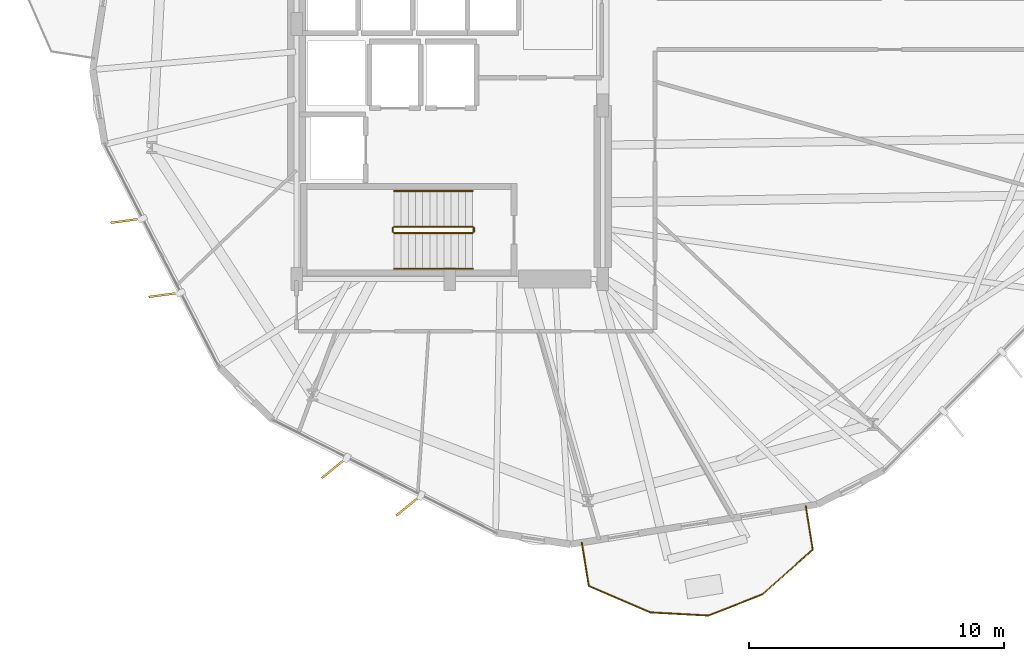
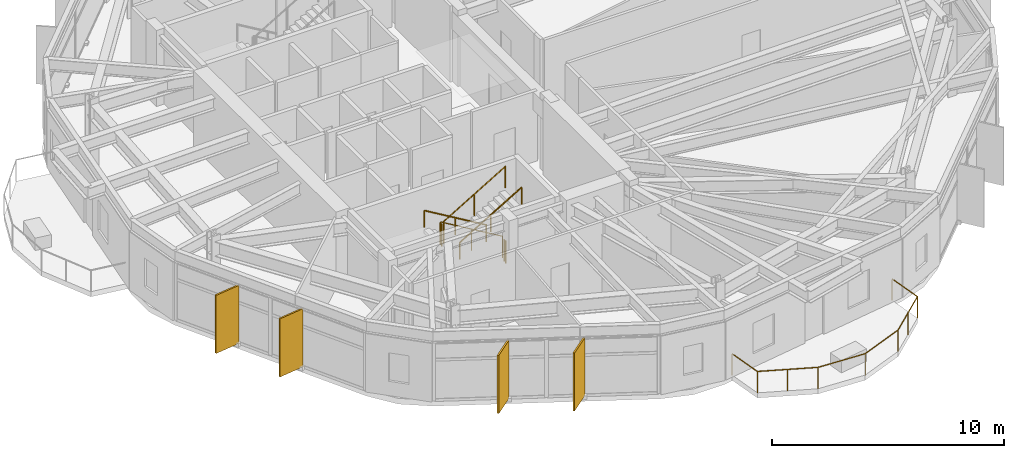
# One storey, part 21 of 23: 7 railings, 4 shading devices.
"""IFC4 building model written with IfcOpenShell, lengths in metres."""

import ifcopenshell
import ifcopenshell.guid

model = None  # the IFC model being written
_history = None  # IfcOwnerHistory: only IFC2X3 demands one
_inside = {}  # id of a spatial element -> (the spatial element, [elements in it])
_under = {}  # id of a project, library or spatial element -> (it, [spatial elements below it])
_declared = {}  # id of a project -> (the project, [libraries it declares])
_typed = {}  # id of a type object -> (the type object, [elements of that type])
_made_of = {}  # id of a material, layer set ... -> (it, [elements and type objects made of it])


def new_model(schema):
    """Start an empty IFC model of exactly this schema.

    Asked for "IFC4X3", IfcOpenShell would pick the latest addendum, in which some entities
    have other attributes; the version numbers below select the first issue.
    IFC2X3 requires an IfcOwnerHistory on every rooted entity: one is made here for all.
    """
    global model, _history
    if schema == "IFC4X3":
        model = ifcopenshell.file(schema_version=(4, 3, 0, 0))
    else:
        model = ifcopenshell.file(schema=schema)
    _inside.clear()
    _under.clear()
    _declared.clear()
    _typed.clear()
    _made_of.clear()
    _history = None
    if model.schema == "IFC2X3":
        org = make("IfcOrganization", Name="unknown")
        user = make(
            "IfcPersonAndOrganization",
            ThePerson=make("IfcPerson", FamilyName="unknown"),
            TheOrganization=org,
        )
        app = make(
            "IfcApplication",
            ApplicationDeveloper=org,
            Version="unknown",
            ApplicationFullName="unknown",
            ApplicationIdentifier="unknown",
        )
        _history = make(
            "IfcOwnerHistory",
            OwningUser=user,
            OwningApplication=app,
            ChangeAction="ADDED",
            CreationDate=0,
        )
    return model


def make(cls, **values):
    """One entity of the class cls with the attributes given. An attribute that is None is left unset."""
    return model.create_entity(
        cls, **{name: value for name, value in values.items() if value is not None}
    )


def rooted(cls, **values):
    """An entity with a GlobalId (a new one), such as an element, a storey or a relation."""
    return make(cls, GlobalId=ifcopenshell.guid.new(), OwnerHistory=_history, **values)


def si_unit(unit_type, name, prefix=None):
    """IfcSIUnit, for example si_unit("LENGTHUNIT", "METRE", prefix="MILLI")."""
    return make("IfcSIUnit", UnitType=unit_type, Prefix=prefix, Name=name)


def assignment(units):
    """IfcUnitAssignment: the units of a project."""
    return None if units is None else make("IfcUnitAssignment", Units=units)


def point(xyz):
    """IfcCartesianPoint."""
    return None if xyz is None else make("IfcCartesianPoint", Coordinates=xyz)


def direction(xyz):
    """IfcDirection."""
    return None if xyz is None else make("IfcDirection", DirectionRatios=xyz)


def frame(location, z_axis=None, x_axis=None):
    """IfcAxis2Placement3D, a coordinate frame: its origin and axes. An axis left out is left unset."""
    return make(
        "IfcAxis2Placement3D",
        Location=point(location),
        Axis=direction(z_axis),
        RefDirection=direction(x_axis),
    )


def frame_2d(location, x_axis=None):
    """IfcAxis2Placement2D, a coordinate frame in the plane: its origin and x axis."""
    return make(
        "IfcAxis2Placement2D", Location=point(location), RefDirection=direction(x_axis)
    )


def origin():
    """The frame at (0, 0, 0) with its axes left unset."""
    return frame((0.0, 0.0, 0.0))


def origin_2d():
    """The frame at (0, 0) in the plane with its x axis left unset."""
    return frame_2d((0.0, 0.0))


def place(relative_to, where):
    """IfcLocalPlacement: puts the frame where relative to a parent placement (None: the world)."""
    return make(
        "IfcLocalPlacement", PlacementRelTo=relative_to, RelativePlacement=where
    )


def context(
    kind, dimensions, precision=None, world=None, true_north=None, identifier=None
):
    """IfcGeometricRepresentationContext, for example the 3D "Model" context."""
    return make(
        "IfcGeometricRepresentationContext",
        ContextIdentifier=identifier,
        ContextType=kind,
        CoordinateSpaceDimension=dimensions,
        Precision=precision,
        WorldCoordinateSystem=world,
        TrueNorth=true_north,
    )


def subcontext(parent, identifier, kind, view, scale=None):
    """IfcGeometricRepresentationSubContext, for example "Body" below "Model"."""
    return make(
        "IfcGeometricRepresentationSubContext",
        ContextIdentifier=identifier,
        ContextType=kind,
        ParentContext=parent,
        TargetScale=scale,
        TargetView=view,
    )


def project(units=None, contexts=None):
    """IfcProject with its units and contexts."""
    return rooted(
        "IfcProject",
        Name="project",
        RepresentationContexts=contexts,
        UnitsInContext=assignment(units),
    )


def spatial(cls, under=None, at=None, **own):
    """A site, building, storey or space (cls), placed at a placement, below another one or the project."""
    s = rooted(cls, ObjectPlacement=at, **own)
    if under is not None:
        _under.setdefault(under.id(), (under, []))[1].append(s)
    return s


def profile(cls, at=None, kind="AREA", **sizes):
    """A parametric profile (cls). Its sizes go by their IFC names, for example OverallWidth=200.0."""
    return make(cls, ProfileType=kind, Position=at, **sizes)


def rectangle(**sizes):
    """IfcRectangleProfileDef."""
    return profile("IfcRectangleProfileDef", **sizes)


def circle(**sizes):
    """IfcCircleProfileDef."""
    return profile("IfcCircleProfileDef", **sizes)


def extrude(swept, where, along, depth):
    """IfcExtrudedAreaSolid: the profile swept, set in the frame where, extruded along a direction by depth."""
    return make(
        "IfcExtrudedAreaSolid",
        SweptArea=swept,
        Position=where,
        ExtrudedDirection=direction(along),
        Depth=depth,
    )


def shape(context_of_items, identifier, shape_type, items):
    """IfcShapeRepresentation: the items that make up one representation, for example the "Body"."""
    return make(
        "IfcShapeRepresentation",
        ContextOfItems=context_of_items,
        RepresentationIdentifier=identifier,
        RepresentationType=shape_type,
        Items=items,
    )


def material(Name=None, Category=None):
    """IfcMaterial."""
    return make("IfcMaterial", Name=Name, Category=Category)


def layer(
    of_material, thickness, ventilated=None, Name=None, Category=None, Priority=None
):
    """IfcMaterialLayer: one layer of a wall or slab, of a material (None: an air gap)."""
    return make(
        "IfcMaterialLayer",
        Material=of_material,
        LayerThickness=thickness,
        IsVentilated=ventilated,
        Name=Name,
        Category=Category,
        Priority=Priority,
    )


def layer_set(layers, Name=None):
    """IfcMaterialLayerSet."""
    return make("IfcMaterialLayerSet", MaterialLayers=layers, LayerSetName=Name)


def made_of(thing, what):
    """Note that an element or type object is made of a material, layer set ...; save() writes the relation."""
    if what is not None:
        _made_of.setdefault(what.id(), (what, []))[1].append(thing)
    return thing


def type_object(cls, material=None, **own):
    """A type object (cls), such as IfcWallType, which elements share."""
    return made_of(rooted(cls, **own), material)


def element(
    cls,
    number,
    at=None,
    inside=None,
    cuts=None,
    type_object=None,
    material=None,
    context=None,
    identifier="Body",
    shape_type=None,
    held_by="IfcProductDefinitionShape",
    body=None,
    shapes=None,
    **own,
):
    """One element of the class cls, such as IfcWall. Its Tag is "e" and its number.

    at: its placement. inside: the storey or other place that contains it. cuts: it is an
    opening in that element (IfcRelVoidsElement). A single representation is given by context,
    identifier, shape_type and body (its items); several are given by shapes. held_by: the class
    of the entity that holds the representations. save() writes the other relations.
    """
    e = rooted(cls, Tag="e%d" % number, ObjectPlacement=at, **own)
    if body is not None:
        shapes = [shape(context, identifier, shape_type, body)]
    if shapes is not None:
        e.Representation = make(held_by, Representations=shapes)
    if inside is not None:
        _inside.setdefault(inside.id(), (inside, []))[1].append(e)
    if cuts is not None:
        rooted(
            "IfcRelVoidsElement", RelatingBuildingElement=cuts, RelatedOpeningElement=e
        )
    if type_object is not None:
        _typed.setdefault(type_object.id(), (type_object, []))[1].append(e)
    return made_of(e, material)


def aggregate(whole, parts):
    """IfcRelAggregates: a whole, such as a stair, and the parts it consists of."""
    return rooted("IfcRelAggregates", RelatingObject=whole, RelatedObjects=parts)


def save(model, path):
    """Write the relations noted so far, then the file.

    IfcRelAggregates (storeys below a building ...), IfcRelContainedInSpatialStructure (elements
    in a storey), IfcRelDefinesByType, IfcRelAssociatesMaterial and IfcRelDeclares: one each for
    every whole, place, type object, material and project.
    """
    for whole, parts in _under.values():
        aggregate(whole, parts)
    for where, things in _inside.values():
        rooted(
            "IfcRelContainedInSpatialStructure",
            RelatedElements=things,
            RelatingStructure=where,
        )
    for kind, things in _typed.values():
        rooted("IfcRelDefinesByType", RelatedObjects=things, RelatingType=kind)
    for what, things in _made_of.values():
        rooted("IfcRelAssociatesMaterial", RelatedObjects=things, RelatingMaterial=what)
    for by, libraries in _declared.values():
        rooted("IfcRelDeclares", RelatingContext=by, RelatedDefinitions=libraries)
    model.write(path)


model = new_model("IFC4")

# Units and contexts
model_context = context("Model", 3, precision=1e-05, world=origin(), true_north=direction((0.0, 1.0)))
body_context = subcontext(model_context, "Body", "Model", "MODEL_VIEW")
ifc_project = project(units=[si_unit("LENGTHUNIT", "METRE"), si_unit("AREAUNIT", "SQUARE_METRE"), si_unit("VOLUMEUNIT", "CUBIC_METRE"), si_unit("PLANEANGLEUNIT", "RADIAN"), si_unit("MASSUNIT", "GRAM", prefix="KILO")], contexts=[model_context])

# Site, building, storey
site_placement = place(None, origin())
site = spatial("IfcSite", under=ifc_project, at=site_placement, CompositionType="ELEMENT")
building_placement = place(site_placement, origin())
building = spatial("IfcBuilding", under=site, at=building_placement, Name="Soratama Intermodal Tower", CompositionType="ELEMENT")
storey_placement = place(building_placement, frame((0.0, 0.0, 62.60009765625)))
storey = spatial("IfcBuildingStorey", under=building, at=storey_placement, Name="L14", CompositionType="ELEMENT", Elevation=62.60009765625)

# Railings
ifc_material_1 = material(Name="Laminated glass and stainless steel balustrade", Category="steel")
railing_type_1 = type_object("IfcRailingType", Name="RL-BAL-1150", PredefinedType="BALUSTRADE", material=ifc_material_1)
railing_1_placement = place(storey_placement, frame((52.564697265625, 6.083984375, 0.0)))
element("IfcRailing", 1, at=railing_1_placement, inside=storey, type_object=railing_type_1, Name="L14 Balcony Balustrade 3", PredefinedType="BALUSTRADE", context=body_context, shape_type="SweptSolid", body=[
    extrude(circle(Radius=0.02392578125, at=origin_2d()), frame((0.0, 0.0, 1.1259765625), z_axis=(0.159540351224, -0.987191408153, 0.0), x_axis=(0.987191408153, 0.159540351224, 0.0)), (0.0, 0.0, 1.0), 1.719970703125),
    extrude(circle(Radius=0.02392578125, at=origin_2d()), frame((0.2744140625, -1.697998046875, 1.1259765625), z_axis=(-0.747368450945, -0.664409812188, 0.0), x_axis=(0.664409812188, -0.747368450945, 0.0)), (0.0, 0.0, 1.0), 2.636962890625),
    extrude(circle(Radius=0.02392578125, at=origin_2d()), frame((-1.6962890625, -3.449951171875, 1.1259765625), z_axis=(-0.930568945618, -0.366116699226, 0.0), x_axis=(0.366116699226, -0.930568945618, 0.0)), (0.0, 0.0, 1.0), 2.27734375),
    extrude(circle(Radius=0.02392578125, at=origin_2d()), frame((-3.8154296875, -4.28369140625, 1.1259765625), z_axis=(-0.99852174408, 0.054353717441, 0.0), x_axis=(-0.054353717441, -0.99852174408, 0.0)), (0.0, 0.0, 1.0), 2.27734375),
    extrude(circle(Radius=0.02392578125, at=origin_2d()), frame((-6.08935546875, -4.159912109375, 1.1259765625), z_axis=(-0.918617437732, 0.395148077428, 0.0), x_axis=(-0.395148077428, -0.918617437732, 0.0)), (0.0, 0.0, 1.0), 2.636962890625),
    extrude(circle(Radius=0.02392578125, at=origin_2d()), frame((-8.51171875, -3.117919921875, 1.1259765625), z_axis=(-0.159402019524, 0.987213754043, 0.0), x_axis=(-0.987213754043, -0.159402019524, 0.0)), (0.0, 0.0, 1.0), 1.719970703125),
    extrude(circle(Radius=0.02099609375, at=origin_2d()), origin(), (0.0, 0.0, 1.0), 1.101806640625),
    extrude(circle(Radius=0.02099609375, at=origin_2d()), frame((0.2744140625, -1.697998046875, 0.0)), (0.0, 0.0, 1.0), 1.101806640625),
    extrude(circle(Radius=0.02099609375, at=origin_2d()), frame((-0.7109375, -2.573974609375, 0.0)), (0.0, 0.0, 1.0), 1.101806640625),
    extrude(circle(Radius=0.02099609375, at=origin_2d()), frame((-1.6962890625, -3.449951171875, 0.0)), (0.0, 0.0, 1.0), 1.101806640625),
    extrude(circle(Radius=0.02099609375, at=origin_2d()), frame((-3.8154296875, -4.28369140625, 0.0)), (0.0, 0.0, 1.0), 1.101806640625),
    extrude(circle(Radius=0.02099609375, at=origin_2d()), frame((-6.08935546875, -4.159912109375, 0.0)), (0.0, 0.0, 1.0), 1.101806640625),
    extrude(circle(Radius=0.02099609375, at=origin_2d()), frame((-7.300537109375, -3.638916015625, 0.0)), (0.0, 0.0, 1.0), 1.101806640625),
    extrude(circle(Radius=0.02099609375, at=origin_2d()), frame((-8.51171875, -3.117919921875, 0.0)), (0.0, 0.0, 1.0), 1.101806640625),
    extrude(circle(Radius=0.02099609375, at=origin_2d()), frame((-8.785888671875, -1.419921875, 0.0)), (0.0, 0.0, 1.0), 1.101806640625),
])
ifc_material_2 = material(Name="Painted steel stair guardrail", Category="steel")
railing_type_2 = type_object("IfcRailingType", Name="RL-STAIR-GUARD", PredefinedType="GUARDRAIL", material=ifc_material_2)
railing_2_placement = place(storey_placement, frame((39.5, 17.050048828125, 0.16650390625)))
element("IfcRailing", 2, at=railing_2_placement, inside=storey, type_object=railing_type_2, Name="L14 ST-1 stair guard 1", PredefinedType="GUARDRAIL", context=body_context, shape_type="SweptSolid", body=[
    extrude(circle(Radius=0.02392578125, at=origin_2d()), frame((0.0, 0.0, 1.1259765625), z_axis=(-0.85927862911, 0.0, 0.511507807912), x_axis=(0.0, -1.0, 0.0)), (0.0, 0.0, 1.0), 3.58447265625),
    extrude(circle(Radius=0.02099609375, at=origin_2d()), origin(), (0.0, 0.0, 1.0), 1.101806640625),
    extrude(circle(Radius=0.02099609375, at=origin_2d()), frame((-1.5400390625, 0.0, 0.916748046875)), (0.0, 0.0, 1.0), 1.101806640625),
    extrude(circle(Radius=0.02099609375, at=origin_2d()), frame((-3.080078125, 0.0, 1.83349609375)), (0.0, 0.0, 1.0), 1.101806640625),
])
railing_3_placement = place(storey_placement, frame((36.3701171875, 17.0, 2.0)))
element("IfcRailing", 3, at=railing_3_placement, inside=storey, type_object=railing_type_2, Name="L14 ST-1 stair guard 2", PredefinedType="GUARDRAIL", context=body_context, shape_type="SweptSolid", body=[
    extrude(circle(Radius=0.02392578125, at=origin_2d()), frame((0.0, 0.0, 1.1259765625), z_axis=(0.0, -1.0, 0.0), x_axis=(1.0, 0.0, 0.0)), (0.0, 0.0, 1.0), 0.14990234375),
    extrude(circle(Radius=0.02099609375, at=origin_2d()), origin(), (0.0, 0.0, 1.0), 1.101806640625),
    extrude(circle(Radius=0.02099609375, at=origin_2d()), frame((0.0, -0.14990234375, 0.0)), (0.0, 0.0, 1.0), 1.101806640625),
])
railing_4_placement = place(storey_placement, frame((36.419921875, 16.800048828125, 2.16650390625)))
element("IfcRailing", 4, at=railing_4_placement, inside=storey, type_object=railing_type_2, Name="L14 ST-1 stair guard 3", PredefinedType="GUARDRAIL", context=body_context, shape_type="SweptSolid", body=[
    extrude(circle(Radius=0.02392578125, at=origin_2d()), frame((0.0, 0.0, 1.1259765625), z_axis=(0.85927862911, 0.0, 0.511507807912), x_axis=(0.0, 1.0, 0.0)), (0.0, 0.0, 1.0), 3.58447265625),
    extrude(circle(Radius=0.02099609375, at=origin_2d()), origin(), (0.0, 0.0, 1.0), 1.101806640625),
    extrude(circle(Radius=0.02099609375, at=origin_2d()), frame((1.5400390625, 0.0, 0.916748046875)), (0.0, 0.0, 1.0), 1.101806640625),
    extrude(circle(Radius=0.02099609375, at=origin_2d()), frame((3.080078125, 0.0, 1.83349609375)), (0.0, 0.0, 1.0), 1.101806640625),
])
railing_5_placement = place(storey_placement, frame((39.550048828125, 17.0, 0.0)))
element("IfcRailing", 5, at=railing_5_placement, inside=storey, type_object=railing_type_2, Name="L14 ST-1 stair guard 4", PredefinedType="GUARDRAIL", context=body_context, shape_type="SweptSolid", body=[
    extrude(circle(Radius=0.02392578125, at=origin_2d()), frame((0.0, 0.0, 1.1259765625), z_axis=(0.0, -1.0, 0.0), x_axis=(1.0, 0.0, 0.0)), (0.0, 0.0, 1.0), 0.14990234375),
    extrude(circle(Radius=0.02099609375, at=origin_2d()), origin(), (0.0, 0.0, 1.0), 1.101806640625),
    extrude(circle(Radius=0.02099609375, at=origin_2d()), frame((0.0, -0.14990234375, 0.0)), (0.0, 0.0, 1.0), 1.101806640625),
])
ifc_material_3 = material(Name="Brushed stainless steel handrail", Category="steel")
railing_type_3 = type_object("IfcRailingType", Name="RL-STAIR-HAND", PredefinedType="HANDRAIL", material=ifc_material_3)
railing_6_placement = place(storey_placement, frame((39.5, 18.449951171875, 0.16650390625)))
element("IfcRailing", 6, at=railing_6_placement, inside=storey, type_object=railing_type_3, Name="L14 ST-1 stair handrail 1", PredefinedType="HANDRAIL", context=body_context, shape_type="SweptSolid", body=[
    extrude(circle(Radius=0.02392578125, at=origin_2d()), frame((0.0, 0.0, 0.8759765625), z_axis=(-0.85927862911, 0.0, 0.511507807912), x_axis=(0.0, -1.0, 0.0)), (0.0, 0.0, 1.0), 3.58447265625),
    extrude(circle(Radius=0.02099609375, at=origin_2d()), origin(), (0.0, 0.0, 1.0), 0.851806640625),
    extrude(circle(Radius=0.02099609375, at=origin_2d()), frame((-1.5400390625, 0.0, 0.916748046875)), (0.0, 0.0, 1.0), 0.851806640625),
    extrude(circle(Radius=0.02099609375, at=origin_2d()), frame((-3.080078125, 0.0, 1.83349609375)), (0.0, 0.0, 1.0), 0.851806640625),
])
railing_7_placement = place(storey_placement, frame((36.419921875, 15.39990234375, 2.16650390625)))
element("IfcRailing", 7, at=railing_7_placement, inside=storey, type_object=railing_type_3, Name="L14 ST-1 stair handrail 2", PredefinedType="HANDRAIL", context=body_context, shape_type="SweptSolid", body=[
    extrude(circle(Radius=0.02392578125, at=origin_2d()), frame((0.0, 0.0, 0.8759765625), z_axis=(0.85927862911, 0.0, 0.511507807912), x_axis=(0.0, 1.0, 0.0)), (0.0, 0.0, 1.0), 3.58447265625),
    extrude(circle(Radius=0.02099609375, at=origin_2d()), origin(), (0.0, 0.0, 1.0), 0.851806640625),
    extrude(circle(Radius=0.02099609375, at=origin_2d()), frame((1.5400390625, 0.0, 0.916748046875)), (0.0, 0.0, 1.0), 0.851806640625),
    extrude(circle(Radius=0.02099609375, at=origin_2d()), frame((3.080078125, 0.0, 1.83349609375)), (0.0, 0.0, 1.0), 0.851806640625),
])

# Shading devices
ifc_material_4 = material(Name="Champagne anodised aluminium solar fin", Category="aluminium")
ifc_layer = layer(ifc_material_4, 0.080078125)
ifc_layer_set = layer_set([ifc_layer], Name="Champagne anodised aluminium solar fin")
shading_device_type = type_object("IfcShadingDeviceType", Name="SH-FIN-1250", PredefinedType="USERDEFINED", material=ifc_layer_set)
for number, where, z_axis, x_axis, name in (
    (8, (25.929443359375, 17.28466796875, 0.019775390625), (0.0, 0.0, 1.0), (-0.990842346368, -0.135023866942, 0.0), "L14 Solar Fin F06-1"),
    (9, (27.421630859375, 14.378662109375, 0.019775390625), (0.0, 0.0, 1.0), (-0.990842346368, -0.135023866942, 0.0), "L14 Solar Fin F06-2"),
    (10, (34.072509765625, 7.58740234375, 0.019775390625), (0.0, 0.0, 1.0), (-0.775165061333, -0.631758757508, 0.0), "L14 Solar Fin F07-1"),
    (11, (36.98779296875, 6.113525390625, 0.019775390625), (0.0, 0.0, 1.0), (-0.775165061333, -0.631758757508, 0.0), "L14 Solar Fin F07-2"),
):
    element("IfcShadingDevice", number, at=place(storey_placement, frame(where, z_axis=z_axis, x_axis=x_axis)), inside=storey, type_object=shading_device_type, Name=name, ObjectType="FIN", PredefinedType="USERDEFINED", context=body_context, shape_type="SweptSolid", body=[
        extrude(rectangle(XDim=1.25, YDim=0.080078125, at=origin_2d()), origin(), (0.0, 0.0, 1.0), 3.05908203125),
    ])

save(model, "model.ifc")
